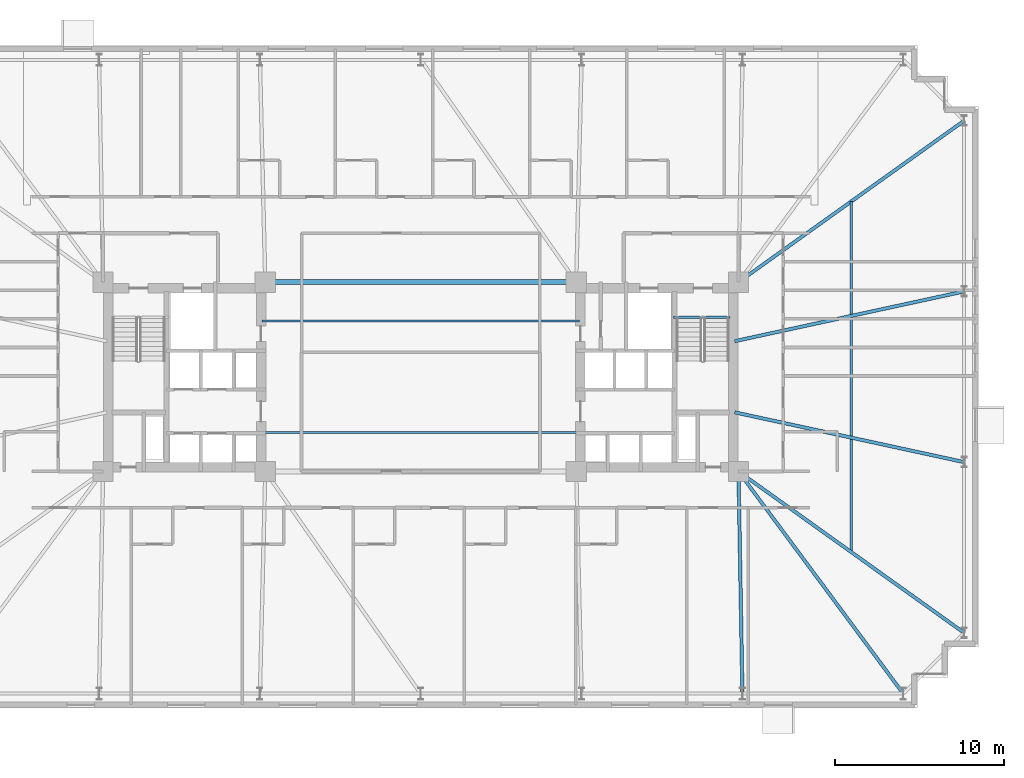
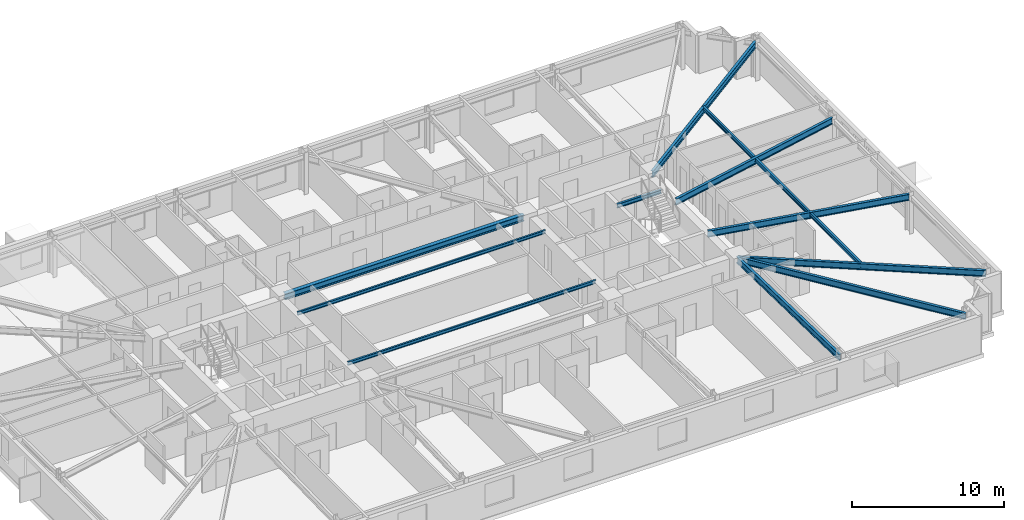
# One storey, part 7 of 22: 11 beams.
"""IFC4 building model written with IfcOpenShell, lengths in metres."""

from ifc_helpers import new_model, si_unit, direction, frame, origin, origin_2d, place, context, subcontext, project, spatial, i_section, extrude, material, material_profile, profile_set, type_object, element, save


model = new_model("IFC4")

# Units and contexts
model_context = context("Model", 3, precision=1e-05, world=origin(), true_north=direction((0.0, 1.0)))
body_context = subcontext(model_context, "Body", "Model", "MODEL_VIEW")
ifc_project = project(units=[si_unit("LENGTHUNIT", "METRE"), si_unit("AREAUNIT", "SQUARE_METRE"), si_unit("VOLUMEUNIT", "CUBIC_METRE"), si_unit("PLANEANGLEUNIT", "RADIAN"), si_unit("MASSUNIT", "GRAM", prefix="KILO")], contexts=[model_context])

# Site, building, storey
site_placement = place(None, origin())
site = spatial("IfcSite", under=ifc_project, at=site_placement, CompositionType="ELEMENT")
building_placement = place(site_placement, origin())
building = spatial("IfcBuilding", under=site, at=building_placement, Name="Qobustan Lattice House", CompositionType="ELEMENT")
storey_placement = place(building_placement, frame((0.0, 0.0, 53.800048828125)))
storey = spatial("IfcBuildingStorey", under=building, at=storey_placement, Name="L14", CompositionType="ELEMENT", Elevation=53.800048828125)

# Beams
ifc_material_1 = material(Name="Steel S355", Category="steel")
ifc_material_profile_1 = material_profile(ifc_material_1, i_section(OverallWidth=0.300048828125, OverallDepth=0.5, WebThickness=0.014404296875, FlangeThickness=0.028076171875, FilletRadius=0.027099609375, at=origin_2d()), Name="HEB500")
ifc_profile_set_1 = profile_set([ifc_material_profile_1], Name="Steel S355")
beam_type_1 = type_object("IfcBeamType", Name="BM-CG-HEB500", PredefinedType="USERDEFINED", material=ifc_profile_set_1)
beam_1_placement = place(storey_placement, frame((-9.050048828125, 5.60009765625, 2.784912109375), z_axis=(1.0, 0.0, 0.0), x_axis=(0.0, 1.0, 0.0)))
element("IfcBeam", 1, at=beam_1_placement, inside=storey, type_object=beam_type_1, Name="L14 core spine girder CG-CN", ObjectType="GIRDER", PredefinedType="USERDEFINED", context=body_context, shape_type="SweptSolid", body=[
    extrude(i_section(OverallWidth=0.300048828125, OverallDepth=0.5, WebThickness=0.014404296875, FlangeThickness=0.028076171875, FilletRadius=0.027099609375, at=origin_2d()), origin(), (0.0, 0.0, 1.0), 18.10009765625),
])
ifc_material_2 = material(Name="Steel S355", Category="steel")
ifc_material_profile_2 = material_profile(ifc_material_2, i_section(OverallWidth=0.199951171875, OverallDepth=0.5, WebThickness=0.01025390625, FlangeThickness=0.01611328125, FilletRadius=0.02099609375, at=origin_2d()), Name="IPE500")
ifc_profile_set_2 = profile_set([ifc_material_profile_2], Name="Steel S355")
beam_type_2 = type_object("IfcBeamType", Name="BM-FLG-IPE500", PredefinedType="USERDEFINED", material=ifc_profile_set_2)
beam_2_placement = place(storey_placement, frame((19.032958984375, -18.72509765625, 2.784912109375), z_axis=(-0.017757831607, 0.999842317276, 0.0), x_axis=(-0.999842317276, -0.017757831607, 0.0)))
element("IfcBeam", 2, at=beam_2_placement, inside=storey, type_object=beam_type_2, Name="L14 primary floor girder RAD-S6", ObjectType="GIRDER", PredefinedType="USERDEFINED", context=body_context, shape_type="SweptSolid", body=[
    extrude(i_section(OverallWidth=0.199951171875, OverallDepth=0.5, WebThickness=0.01025390625, FlangeThickness=0.01611328125, FilletRadius=0.02099609375, at=origin_2d()), origin(), (0.0, 0.0, 1.0), 13.10205078125),
])
beam_3_placement = place(storey_placement, frame((28.53515625, -18.72998046875, 2.784912109375), z_axis=(-0.5955916815, 0.803287338956, 0.0), x_axis=(-0.803287338956, -0.5955916815, 0.0)))
element("IfcBeam", 3, at=beam_3_placement, inside=storey, type_object=beam_type_2, Name="L14 primary floor girder RAD-S7E", ObjectType="GIRDER", PredefinedType="USERDEFINED", context=body_context, shape_type="SweptSolid", body=[
    extrude(i_section(OverallWidth=0.199951171875, OverallDepth=0.5, WebThickness=0.01025390625, FlangeThickness=0.01611328125, FilletRadius=0.02099609375, at=origin_2d()), origin(), (0.0, 0.0, 1.0), 16.3203125),
])
beam_4_placement = place(storey_placement, frame((32.129638671875, 15.135498046875, 2.784912109375), z_axis=(-0.813318954893, -0.581818079481, 0.0), x_axis=(0.581818079481, -0.813318954893, 0.0)))
element("IfcBeam", 4, at=beam_4_placement, inside=storey, type_object=beam_type_2, Name="L14 primary floor girder RAD-E4", ObjectType="GIRDER", PredefinedType="USERDEFINED", context=body_context, shape_type="SweptSolid", body=[
    extrude(i_section(OverallWidth=0.199951171875, OverallDepth=0.5, WebThickness=0.01025390625, FlangeThickness=0.01611328125, FilletRadius=0.02099609375, at=origin_2d()), origin(), (0.0, 0.0, 1.0), 16.3642578125),
])
for number, where, z_axis, x_axis, name in (
    (5, (32.12548828125, 5.044677734375, 2.784912109375), (-0.97727240275, -0.211987383643, 0.0), (0.211987383643, -0.97727240275, 0.0), "L14 primary floor girder RAD-E3"),
    (6, (32.12548828125, -5.044677734375, 2.784912109375), (-0.97727240275, 0.211987383643, 0.0), (-0.211987383643, -0.97727240275, 0.0), "L14 primary floor girder RAD-E2"),
):
    element("IfcBeam", number, at=place(storey_placement, frame(where, z_axis=z_axis, x_axis=x_axis)), inside=storey, type_object=beam_type_2, Name=name, ObjectType="GIRDER", PredefinedType="USERDEFINED", context=body_context, shape_type="SweptSolid", body=[
        extrude(i_section(OverallWidth=0.199951171875, OverallDepth=0.5, WebThickness=0.01025390625, FlangeThickness=0.01611328125, FilletRadius=0.02099609375, at=origin_2d()), origin(), (0.0, 0.0, 1.0), 13.8662109375),
    ])
beam_5_placement = place(storey_placement, frame((32.129638671875, -15.135498046875, 2.784912109375), z_axis=(-0.813318954893, 0.581818079481, 0.0), x_axis=(-0.581818079481, -0.813318954893, 0.0)))
element("IfcBeam", 7, at=beam_5_placement, inside=storey, type_object=beam_type_2, Name="L14 primary floor girder RAD-E1", ObjectType="GIRDER", PredefinedType="USERDEFINED", context=body_context, shape_type="SweptSolid", body=[
    extrude(i_section(OverallWidth=0.199951171875, OverallDepth=0.5, WebThickness=0.01025390625, FlangeThickness=0.01611328125, FilletRadius=0.02099609375, at=origin_2d()), origin(), (0.0, 0.0, 1.0), 16.3642578125),
])
ifc_material_3 = material(Name="Steel S355", Category="steel")
ifc_material_profile_3 = material_profile(ifc_material_3, i_section(OverallWidth=0.135009765625, OverallDepth=0.27001953125, WebThickness=0.006591796875, FlangeThickness=0.01025390625, FilletRadius=0.014892578125, at=origin_2d()), Name="IPE270")
ifc_profile_set_3 = profile_set([ifc_material_profile_3], Name="Steel S355")
beam_type_3 = type_object("IfcBeamType", Name="BM-JST-IPE270", PredefinedType="JOIST", material=ifc_profile_set_3)
for number, where, z_axis, x_axis, name in (
    (8, (-9.39990234375, -3.300048828125, 2.89990234375), (1.0, 0.0, 0.0), (0.0, 1.0, 0.0), "L14 central span floor joist 1"),
    (9, (-9.39990234375, 3.300048828125, 2.89990234375), (1.0, 0.0, 0.0), (0.0, 1.0, 0.0), "L14 central span floor joist 2"),
):
    element("IfcBeam", number, at=place(storey_placement, frame(where, z_axis=z_axis, x_axis=x_axis)), inside=storey, type_object=beam_type_3, Name=name, PredefinedType="JOIST", context=body_context, shape_type="SweptSolid", body=[
        extrude(i_section(OverallWidth=0.135009765625, OverallDepth=0.27001953125, WebThickness=0.006591796875, FlangeThickness=0.01025390625, FilletRadius=0.014892578125, at=origin_2d()), origin(), (0.0, 0.0, 1.0), 18.7998046875),
    ])
ifc_material_4 = material(Name="Steel S355", Category="steel")
ifc_material_profile_4 = material_profile(ifc_material_4, i_section(OverallWidth=0.159912109375, OverallDepth=0.330078125, WebThickness=0.007568359375, FlangeThickness=0.011474609375, FilletRadius=0.01806640625, at=origin_2d()), Name="IPE330")
ifc_profile_set_4 = profile_set([ifc_material_profile_4], Name="Steel S355")
beam_type_4 = type_object("IfcBeamType", Name="BM-SEC-IPE330", PredefinedType="BEAM", material=ifc_profile_set_4)
beam_6_placement = place(storey_placement, frame((25.47509765625, 10.375, 2.869873046875), z_axis=(0.0, -1.0, 0.0), x_axis=(1.0, 0.0, 0.0)))
element("IfcBeam", 10, at=beam_6_placement, inside=storey, type_object=beam_type_4, Name="L14 east wing secondary beam", PredefinedType="BEAM", context=body_context, shape_type="SweptSolid", body=[
    extrude(i_section(OverallWidth=0.159912109375, OverallDepth=0.330078125, WebThickness=0.007568359375, FlangeThickness=0.011474609375, FilletRadius=0.01806640625, at=origin_2d()), origin(), (0.0, 0.0, 1.0), 20.75),
])
ifc_material_5 = material(Name="Steel S355", Category="steel")
ifc_material_profile_5 = material_profile(ifc_material_5, i_section(OverallWidth=0.159912109375, OverallDepth=0.330078125, WebThickness=0.007568359375, FlangeThickness=0.011474609375, FilletRadius=0.01806640625, at=origin_2d()), Name="IPE330")
ifc_profile_set_5 = profile_set([ifc_material_profile_5], Name="Steel S355")
beam_type_5 = type_object("IfcBeamType", Name="BM-SPD-IPE330", PredefinedType="SPANDREL", material=ifc_profile_set_5)
beam_7_placement = place(storey_placement, frame((14.949951171875, 3.52001953125, 2.869873046875), z_axis=(1.0, 0.0, 0.0), x_axis=(0.0, 1.0, 0.0)))
element("IfcBeam", 11, at=beam_7_placement, inside=storey, type_object=beam_type_5, Name="L14 east stair landing trimmer beam", PredefinedType="SPANDREL", context=body_context, shape_type="SweptSolid", body=[
    extrude(i_section(OverallWidth=0.159912109375, OverallDepth=0.330078125, WebThickness=0.007568359375, FlangeThickness=0.011474609375, FilletRadius=0.01806640625, at=origin_2d()), origin(), (0.0, 0.0, 1.0), 3.35009765625),
])

save(model, "model.ifc")
